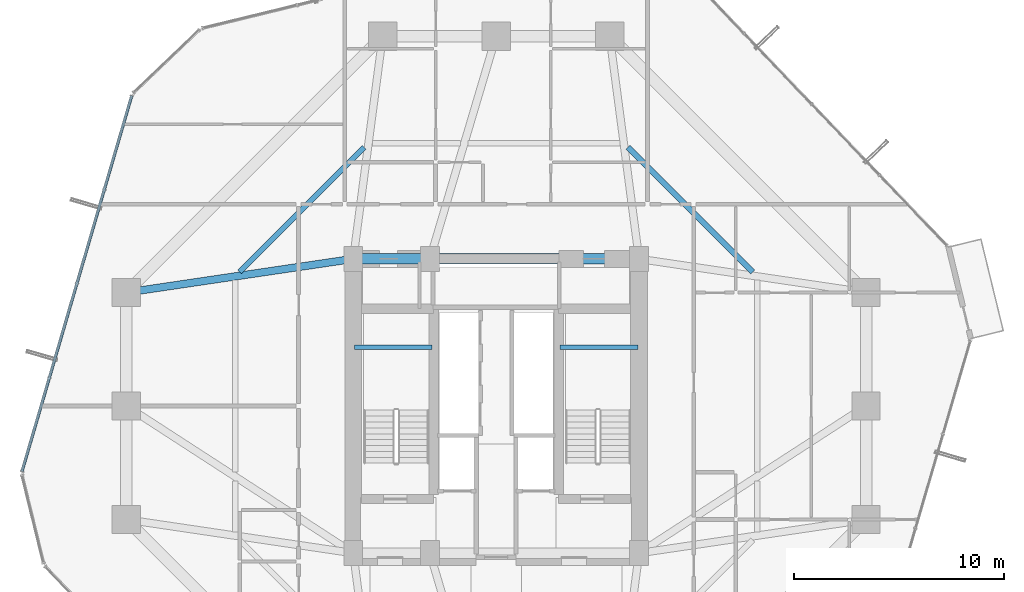
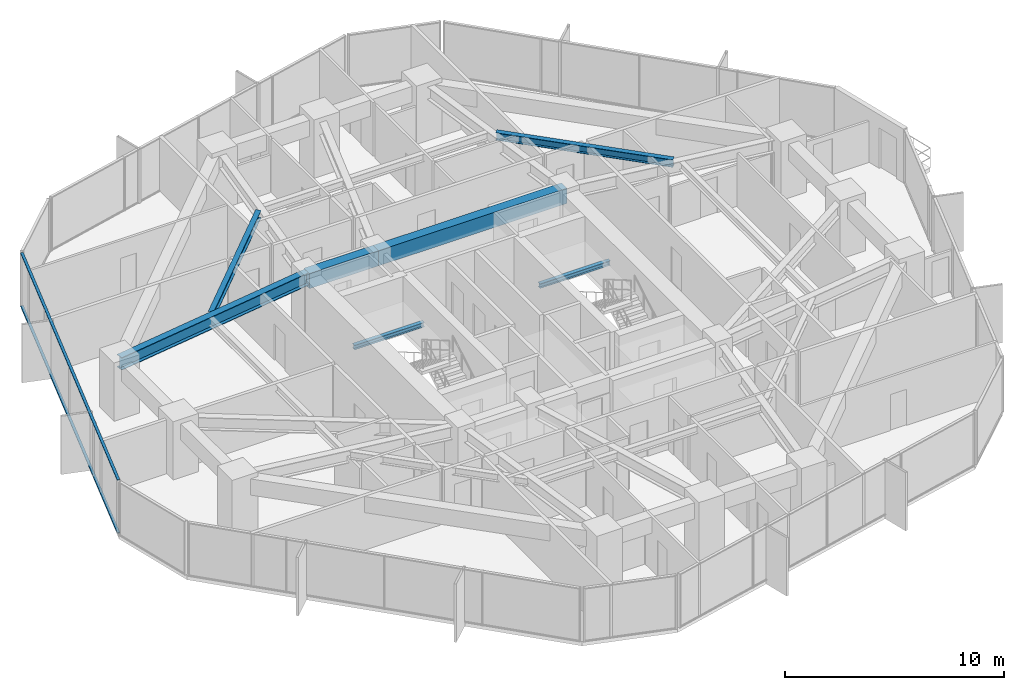
# One storey, part 11 of 37: 7 beams, 2 members, 1 element without a shape of its own.
"""IFC4 building model written with IfcOpenShell, lengths in metres."""

from ifc_helpers import new_model, si_unit, direction, frame, origin, origin_2d, place, context, subcontext, project, spatial, rectangle, hollow_rectangle, i_section, extrude, source, transform, mapped, material, layer, layer_set, material_profile, profile_set, type_object, element, aggregate, save


model = new_model("IFC4")

# Units and contexts
model_context = context("Model", 3, precision=1e-05, world=origin(), true_north=direction((0.0, 1.0)))
body_context = subcontext(model_context, "Body", "Model", "MODEL_VIEW")
ifc_project = project(units=[si_unit("LENGTHUNIT", "METRE"), si_unit("AREAUNIT", "SQUARE_METRE"), si_unit("VOLUMEUNIT", "CUBIC_METRE"), si_unit("PLANEANGLEUNIT", "RADIAN"), si_unit("MASSUNIT", "GRAM", prefix="KILO")], contexts=[model_context])

# Site, building, storey
site_placement = place(None, origin())
site = spatial("IfcSite", under=ifc_project, at=site_placement, CompositionType="ELEMENT")
building_placement = place(site_placement, origin())
building = spatial("IfcBuilding", under=site, at=building_placement, Name="Veraguas Prism Commons", CompositionType="ELEMENT")
storey_placement = place(building_placement, frame((0.0, 0.0, 70.60009765625)))
storey = spatial("IfcBuildingStorey", under=building, at=storey_placement, Name="L19", CompositionType="ELEMENT", Elevation=70.60009765625)

# Beams
ifc_material_1 = material(Name="Concrete C50/60", Category="concrete")
ifc_material_profile_1 = material_profile(ifc_material_1, rectangle(XDim=0.5, YDim=0.85009765625, at=origin_2d()), Name="RC500X850")
ifc_profile_set_1 = profile_set([ifc_material_profile_1], Name="Concrete C50/60")
beam_type_1 = type_object("IfcBeamType", Name="Core Coupling Beam RC 500x850", PredefinedType="BEAM", material=ifc_profile_set_1)
beam_1_placement = place(storey_placement, frame((17.199951171875, 31.0, 2.574951171875), z_axis=(1.0, 0.0, 0.0), x_axis=(0.0, 1.0, 0.0)))
element("IfcBeam", 1, at=beam_1_placement, inside=storey, type_object=beam_type_1, Name="Core Coupling Beam L19-CRN1", PredefinedType="BEAM", context=body_context, shape_type="SweptSolid", body=[
    extrude(rectangle(XDim=0.5, YDim=0.85009765625, at=origin_2d()), origin(), (0.0, 0.0, 1.0), 3.650146484375),
])
beam_2_placement = place(storey_placement, frame((20.85009765625, 31.0, 2.574951171875), z_axis=(1.0, 0.0, 0.0), x_axis=(0.0, 1.0, 0.0)))
element("IfcBeam", 2, at=beam_2_placement, inside=storey, type_object=beam_type_1, Name="Core Coupling Beam L19-CRN2", PredefinedType="BEAM", context=body_context, shape_type="SweptSolid", body=[
    extrude(rectangle(XDim=0.5, YDim=0.85009765625, at=origin_2d()), origin(), (0.0, 0.0, 1.0), 9.949951171875),
])
ifc_material_2 = material(Name="Steel ASTM A992 Grade 50", Category="steel")
ifc_material_profile_2 = material_profile(ifc_material_2, i_section(OverallWidth=0.260986328125, OverallDepth=0.419921875, WebThickness=0.01171875, FlangeThickness=0.019287109375, at=origin_2d()), Name="W410X114")
ifc_profile_set_2 = profile_set([ifc_material_profile_2], Name="Steel ASTM A992 Grade 50")
beam_type_2 = type_object("IfcBeamType", Name="Lower Floor Joist W410x114", PredefinedType="JOIST", material=ifc_profile_set_2)
for number, where, z_axis, x_axis, name in (
    (3, (36.20703125, 30.376953125, 2.789794921875), (-0.707092226423, 0.70712133565, 0.0), (-0.70712133565, -0.707092226423, 0.0), "Composite Floor Joist L19-JS03"),
    (4, (17.723388671875, 36.3076171875, 2.789794921875), (-0.707092226423, -0.70712133565, 0.0), (0.70712133565, -0.707092226423, 0.0), "Composite Floor Joist L19-JS06"),
):
    element("IfcBeam", number, at=place(storey_placement, frame(where, z_axis=z_axis, x_axis=x_axis)), inside=storey, type_object=beam_type_2, Name=name, PredefinedType="JOIST", context=body_context, shape_type="SweptSolid", body=[
        extrude(i_section(OverallWidth=0.260986328125, OverallDepth=0.419921875, WebThickness=0.01171875, FlangeThickness=0.019287109375, at=origin_2d()), origin(), (0.0, 0.0, 1.0), 8.386962890625),
    ])
ifc_material_profile_3 = material_profile(ifc_material_2, i_section(OverallWidth=0.202880859375, OverallDepth=0.251953125, WebThickness=0.008056640625, FlangeThickness=0.013427734375, at=origin_2d()), Name="W250X58")
ifc_profile_set_3 = profile_set([ifc_material_profile_3], Name="Steel ASTM A992 Grade 50")
beam_type_3 = type_object("IfcBeamType", Name="Structural Opening Lintel W250x58", PredefinedType="LINTEL", material=ifc_profile_set_3)
for number, where, z_axis, x_axis, name in (
    (5, (17.25, 26.800048828125, 1.298828125), (1.0, 0.0, 0.0), (0.0, 1.0, 0.0), "Stair ST-01 Half-Landing Support Beam L19-1"),
    (6, (27.050048828125, 26.800048828125, 1.298828125), (1.0, 0.0, 0.0), (0.0, 1.0, 0.0), "Stair ST-02 Half-Landing Support Beam L19-1"),
):
    element("IfcBeam", number, at=place(storey_placement, frame(where, z_axis=z_axis, x_axis=x_axis)), inside=storey, type_object=beam_type_3, Name=name, PredefinedType="LINTEL", context=body_context, shape_type="SweptSolid", body=[
        extrude(i_section(OverallWidth=0.202880859375, OverallDepth=0.251953125, WebThickness=0.008056640625, FlangeThickness=0.013427734375, at=origin_2d()), origin(), (0.0, 0.0, 1.0), 3.699951171875),
    ])
ifc_material_profile_4 = material_profile(ifc_material_2, i_section(OverallWidth=0.35595703125, OverallDepth=0.700927734375, WebThickness=0.016845703125, FlangeThickness=0.02734375, at=origin_2d()), Name="W690X240")
ifc_profile_set_4 = profile_set([ifc_material_profile_4], Name="Steel ASTM A992 Grade 50")
beam_type_4 = type_object("IfcBeamType", Name="Zone 1 Radial Girder W690x240", PredefinedType="BEAM", material=ifc_profile_set_4)
beam_3_placement = place(storey_placement, frame((6.39990234375, 29.39990234375, 2.6494140625), z_axis=(0.989202261707, 0.146556765224, 0.0), x_axis=(-0.146556765224, 0.989202261707, 0.0)))
element("IfcBeam", 7, at=beam_3_placement, inside=storey, type_object=beam_type_4, Name="Radial Floor Girder L19-RD07", PredefinedType="BEAM", context=body_context, shape_type="SweptSolid", body=[
    extrude(i_section(OverallWidth=0.35595703125, OverallDepth=0.700927734375, WebThickness=0.016845703125, FlangeThickness=0.02734375, at=origin_2d()), origin(), (0.0, 0.0, 1.0), 10.91796875),
])

# Curtain wall, members
ifc_material_3 = material(Name="Anodised aluminium EN AW-6063 T6", Category="aluminium")
ifc_layer = layer(ifc_material_3, 0.169921875, Name="Unitised Flush Curtain Wall Zone 1", Category="aluminium")
ifc_layer_set = layer_set([ifc_layer], Name="Anodised aluminium EN AW-6063 T6")
curtain_wall_type = type_object("IfcCurtainWallType", Name="Unitised Flush Curtain Wall Zone 1", PredefinedType="NOTDEFINED", material=ifc_layer_set)
curtain_wall_placement = place(storey_placement, origin())
curtain_wall = element("IfcCurtainWall", 8, at=curtain_wall_placement, inside=storey, type_object=curtain_wall_type, Name="Tower Facade Curtain Wall L19-F3", PredefinedType="NOTDEFINED")
ifc_material_profile_5 = material_profile(ifc_material_3, hollow_rectangle(XDim=0.054931640625, YDim=0.135009765625, WallThickness=0.0029296875, at=origin_2d()), Name="AL55X135X3")
ifc_profile_set_5 = profile_set([ifc_material_profile_5], Name="Anodised aluminium EN AW-6063 T6")
member_type = type_object("IfcMemberType", Name="Curtain Wall Transom Standard AL 55x135x3", PredefinedType="USERDEFINED", material=ifc_profile_set_5)
shared_shape = source(origin(), body_context, "Body", "SweptSolid", [
    extrude(hollow_rectangle(XDim=0.054931640625, YDim=0.135009765625, WallThickness=0.0029296875, at=origin_2d()), origin(), (0.0, 0.0, 1.0), 18.6240234375),
])
member_1_placement = place(storey_placement, frame((6.6591796875, 38.76513671875, 0.02734375), z_axis=(-0.28033473293, -0.959902306234, 0.0), x_axis=(0.0, 0.0, 1.0)))
member_1 = element("IfcMember", 9, at=member_1_placement, type_object=member_type, Name="CW-Z1 Transom 1", ObjectType="TRANSOM", PredefinedType="USERDEFINED", context=body_context, shape_type="MappedRepresentation", body=[
    mapped(shared_shape, transform((0.0, 0.0, 0.0), scale=1.0)),
])
member_2_placement = place(storey_placement, frame((6.6591796875, 38.76513671875, 2.972412109375), z_axis=(-0.28033473293, -0.959902306234, 0.0), x_axis=(0.0, 0.0, 1.0)))
member_2 = element("IfcMember", 10, at=member_2_placement, type_object=member_type, Name="CW-Z1 Transom 2", ObjectType="TRANSOM", PredefinedType="USERDEFINED", context=body_context, shape_type="MappedRepresentation", body=[
    mapped(shared_shape, transform((0.0, 0.0, 0.0), scale=1.0)),
])
aggregate(curtain_wall, [member_1, member_2])

save(model, "model.ifc")
